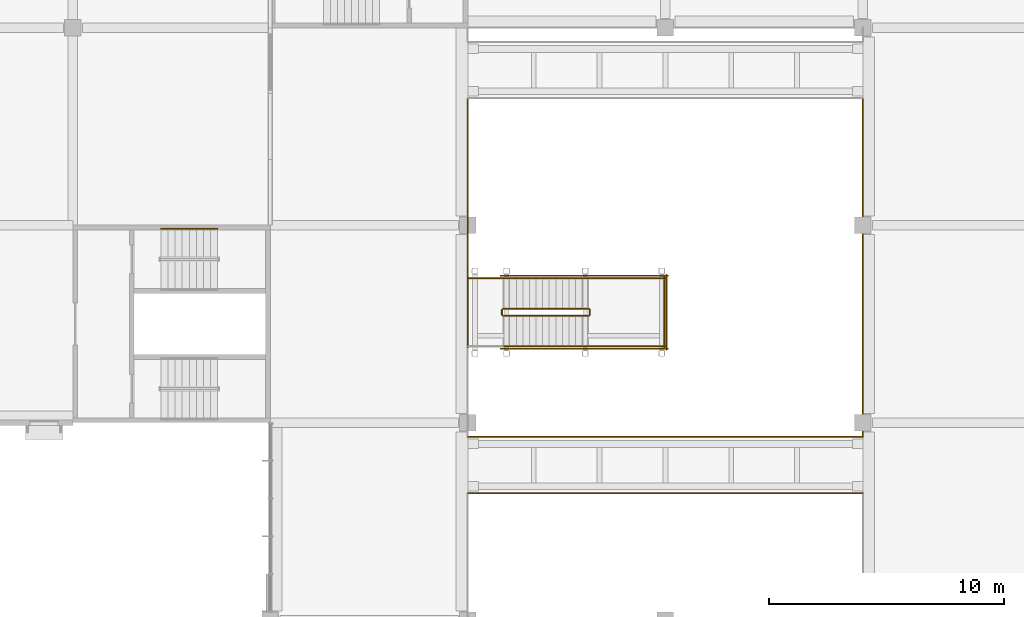
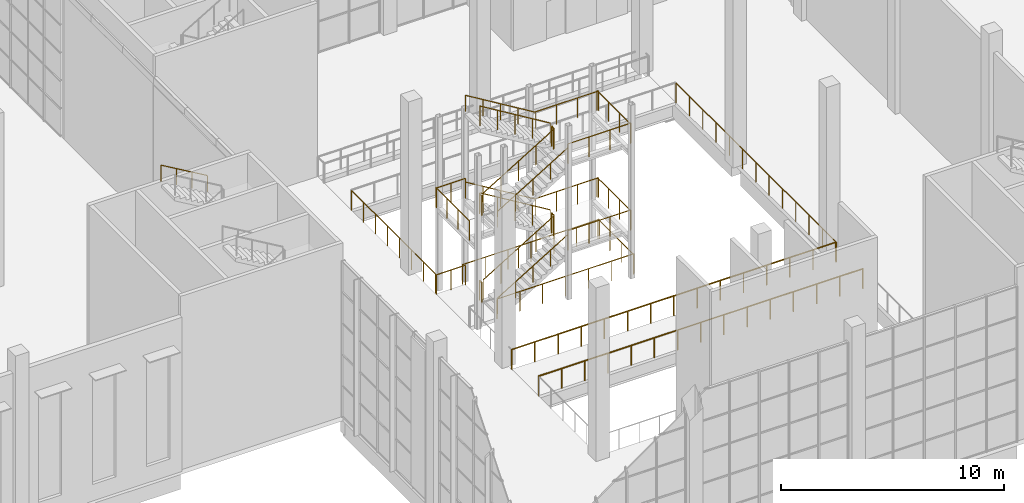
# One storey, part 101 of 114: 29 railings.
"""IFC4 building model written with IfcOpenShell, lengths in metres."""

from ifc_helpers import new_model, si_unit, direction, frame, origin, origin_2d, place, context, subcontext, project, spatial, circle, extrude, material, type_object, element, save


model = new_model("IFC4")

# Units and contexts
model_context = context("Model", 3, precision=1e-05, world=origin(), true_north=direction((0.0, 1.0)))
body_context = subcontext(model_context, "Body", "Model", "MODEL_VIEW")
ifc_project = project(units=[si_unit("LENGTHUNIT", "METRE"), si_unit("AREAUNIT", "SQUARE_METRE"), si_unit("VOLUMEUNIT", "CUBIC_METRE"), si_unit("PLANEANGLEUNIT", "RADIAN"), si_unit("MASSUNIT", "GRAM", prefix="KILO")], contexts=[model_context])

# Site, building, storey
site_placement = place(None, origin())
site = spatial("IfcSite", under=ifc_project, at=site_placement, CompositionType="ELEMENT")
building_placement = place(site_placement, origin())
building = spatial("IfcBuilding", under=site, at=building_placement, Name="Almond Square Museum", CompositionType="ELEMENT")
storey_placement = place(building_placement, frame((0.0, 0.0, 10.5)))
storey = spatial("IfcBuildingStorey", under=building, at=storey_placement, Name="L02", CompositionType="ELEMENT", Elevation=10.5)

# Railings
ifc_material_1 = material(Name="Laminated glass and stainless steel", Category="steel")
railing_type_1 = type_object("IfcRailingType", Name="Atrium bridge guard 1100", PredefinedType="GUARDRAIL", material=ifc_material_1)
railing_1_placement = place(storey_placement, frame((81.60009765625, 81.0, 0.0)))
element("IfcRailing", 1, at=railing_1_placement, inside=storey, type_object=railing_type_1, Name="BR-L02-1 bridge guard south", PredefinedType="GUARDRAIL", context=body_context, shape_type="SweptSolid", body=[
    extrude(circle(Radius=0.02392578125, at=origin_2d()), frame((0.0, 0.0, 1.076171875), z_axis=(1.0, 0.0, 0.0), x_axis=(0.0, 1.0, 0.0)), (0.0, 0.0, 1.0), 16.7998046875),
    extrude(circle(Radius=0.02099609375, at=origin_2d()), origin(), (0.0, 0.0, 1.0), 1.052001953125),
    extrude(circle(Radius=0.02099609375, at=origin_2d()), frame((1.199951171875, 0.0, 0.0)), (0.0, 0.0, 1.0), 1.052001953125),
    extrude(circle(Radius=0.02099609375, at=origin_2d()), frame((2.39990234375, 0.0, 0.0)), (0.0, 0.0, 1.0), 1.052001953125),
    extrude(circle(Radius=0.02099609375, at=origin_2d()), frame((3.599853515625, 0.0, 0.0)), (0.0, 0.0, 1.0), 1.052001953125),
    extrude(circle(Radius=0.02099609375, at=origin_2d()), frame((4.800048828125, 0.0, 0.0)), (0.0, 0.0, 1.0), 1.052001953125),
    extrude(circle(Radius=0.02099609375, at=origin_2d()), frame((6.0, 0.0, 0.0)), (0.0, 0.0, 1.0), 1.052001953125),
    extrude(circle(Radius=0.02099609375, at=origin_2d()), frame((7.199951171875, 0.0, 0.0)), (0.0, 0.0, 1.0), 1.052001953125),
    extrude(circle(Radius=0.02099609375, at=origin_2d()), frame((8.39990234375, 0.0, 0.0)), (0.0, 0.0, 1.0), 1.052001953125),
    extrude(circle(Radius=0.02099609375, at=origin_2d()), frame((9.599853515625, 0.0, 0.0)), (0.0, 0.0, 1.0), 1.052001953125),
    extrude(circle(Radius=0.02099609375, at=origin_2d()), frame((10.7998046875, 0.0, 0.0)), (0.0, 0.0, 1.0), 1.052001953125),
    extrude(circle(Radius=0.02099609375, at=origin_2d()), frame((11.999755859375, 0.0, 0.0)), (0.0, 0.0, 1.0), 1.052001953125),
    extrude(circle(Radius=0.02099609375, at=origin_2d()), frame((13.199951171875, 0.0, 0.0)), (0.0, 0.0, 1.0), 1.052001953125),
    extrude(circle(Radius=0.02099609375, at=origin_2d()), frame((14.39990234375, 0.0, 0.0)), (0.0, 0.0, 1.0), 1.052001953125),
    extrude(circle(Radius=0.02099609375, at=origin_2d()), frame((15.599853515625, 0.0, 0.0)), (0.0, 0.0, 1.0), 1.052001953125),
    extrude(circle(Radius=0.02099609375, at=origin_2d()), frame((16.7998046875, 0.0, 0.0)), (0.0, 0.0, 1.0), 1.052001953125),
])
railing_2_placement = place(storey_placement, frame((81.60009765625, 83.39990234375, 0.0)))
element("IfcRailing", 2, at=railing_2_placement, inside=storey, type_object=railing_type_1, Name="BR-L02-1 bridge guard north", PredefinedType="GUARDRAIL", context=body_context, shape_type="SweptSolid", body=[
    extrude(circle(Radius=0.02392578125, at=origin_2d()), frame((0.0, 0.0, 1.076171875), z_axis=(1.0, 0.0, 0.0), x_axis=(0.0, 1.0, 0.0)), (0.0, 0.0, 1.0), 16.7998046875),
    extrude(circle(Radius=0.02099609375, at=origin_2d()), origin(), (0.0, 0.0, 1.0), 1.052001953125),
    extrude(circle(Radius=0.02099609375, at=origin_2d()), frame((1.199951171875, 0.0, 0.0)), (0.0, 0.0, 1.0), 1.052001953125),
    extrude(circle(Radius=0.02099609375, at=origin_2d()), frame((2.39990234375, 0.0, 0.0)), (0.0, 0.0, 1.0), 1.052001953125),
    extrude(circle(Radius=0.02099609375, at=origin_2d()), frame((3.599853515625, 0.0, 0.0)), (0.0, 0.0, 1.0), 1.052001953125),
    extrude(circle(Radius=0.02099609375, at=origin_2d()), frame((4.800048828125, 0.0, 0.0)), (0.0, 0.0, 1.0), 1.052001953125),
    extrude(circle(Radius=0.02099609375, at=origin_2d()), frame((6.0, 0.0, 0.0)), (0.0, 0.0, 1.0), 1.052001953125),
    extrude(circle(Radius=0.02099609375, at=origin_2d()), frame((7.199951171875, 0.0, 0.0)), (0.0, 0.0, 1.0), 1.052001953125),
    extrude(circle(Radius=0.02099609375, at=origin_2d()), frame((8.39990234375, 0.0, 0.0)), (0.0, 0.0, 1.0), 1.052001953125),
    extrude(circle(Radius=0.02099609375, at=origin_2d()), frame((9.599853515625, 0.0, 0.0)), (0.0, 0.0, 1.0), 1.052001953125),
    extrude(circle(Radius=0.02099609375, at=origin_2d()), frame((10.7998046875, 0.0, 0.0)), (0.0, 0.0, 1.0), 1.052001953125),
    extrude(circle(Radius=0.02099609375, at=origin_2d()), frame((11.999755859375, 0.0, 0.0)), (0.0, 0.0, 1.0), 1.052001953125),
    extrude(circle(Radius=0.02099609375, at=origin_2d()), frame((13.199951171875, 0.0, 0.0)), (0.0, 0.0, 1.0), 1.052001953125),
    extrude(circle(Radius=0.02099609375, at=origin_2d()), frame((14.39990234375, 0.0, 0.0)), (0.0, 0.0, 1.0), 1.052001953125),
    extrude(circle(Radius=0.02099609375, at=origin_2d()), frame((15.599853515625, 0.0, 0.0)), (0.0, 0.0, 1.0), 1.052001953125),
    extrude(circle(Radius=0.02099609375, at=origin_2d()), frame((16.7998046875, 0.0, 0.0)), (0.0, 0.0, 1.0), 1.052001953125),
])
ifc_material_2 = material(Name="Laminated glass and stainless steel", Category="steel")
railing_type_2 = type_object("IfcRailingType", Name="Atrium guard 1100 glass balustrade", PredefinedType="GUARDRAIL", material=ifc_material_2)
railing_3_placement = place(storey_placement, frame((81.60009765625, 90.25, 0.0)))
element("IfcRailing", 3, at=railing_3_placement, inside=storey, type_object=railing_type_2, Name="L02 atrium guard 3", PredefinedType="GUARDRAIL", context=body_context, shape_type="SweptSolid", body=[
    extrude(circle(Radius=0.02392578125, at=origin_2d()), frame((0.0, 0.0, 1.076171875), z_axis=(0.0, 1.0, 0.0), x_axis=(-1.0, 0.0, 0.0)), (0.0, 0.0, 1.0), 7.5),
    extrude(circle(Radius=0.02099609375, at=origin_2d()), origin(), (0.0, 0.0, 1.0), 1.052001953125),
    extrude(circle(Radius=0.02099609375, at=origin_2d()), frame((0.0, 1.071533203125, 0.0)), (0.0, 0.0, 1.0), 1.052001953125),
    extrude(circle(Radius=0.02099609375, at=origin_2d()), frame((0.0, 2.142822265625, 0.0)), (0.0, 0.0, 1.0), 1.052001953125),
    extrude(circle(Radius=0.02099609375, at=origin_2d()), frame((0.0, 3.21435546875, 0.0)), (0.0, 0.0, 1.0), 1.052001953125),
    extrude(circle(Radius=0.02099609375, at=origin_2d()), frame((0.0, 4.28564453125, 0.0)), (0.0, 0.0, 1.0), 1.052001953125),
    extrude(circle(Radius=0.02099609375, at=origin_2d()), frame((0.0, 5.357177734375, 0.0)), (0.0, 0.0, 1.0), 1.052001953125),
    extrude(circle(Radius=0.02099609375, at=origin_2d()), frame((0.0, 6.428466796875, 0.0)), (0.0, 0.0, 1.0), 1.052001953125),
    extrude(circle(Radius=0.02099609375, at=origin_2d()), frame((0.0, 7.5, 0.0)), (0.0, 0.0, 1.0), 1.052001953125),
])
railing_4_placement = place(storey_placement, frame((98.39990234375, 83.449951171875, 0.0)))
element("IfcRailing", 4, at=railing_4_placement, inside=storey, type_object=railing_type_2, Name="L02 atrium guard 6", PredefinedType="GUARDRAIL", context=body_context, shape_type="SweptSolid", body=[
    extrude(circle(Radius=0.02392578125, at=origin_2d()), frame((0.0, 0.0, 1.076171875), z_axis=(0.0, 1.0, 0.0), x_axis=(-1.0, 0.0, 0.0)), (0.0, 0.0, 1.0), 14.300048828125),
    extrude(circle(Radius=0.02099609375, at=origin_2d()), origin(), (0.0, 0.0, 1.0), 1.052001953125),
    extrude(circle(Radius=0.02099609375, at=origin_2d()), frame((0.0, 1.191650390625, 0.0)), (0.0, 0.0, 1.0), 1.052001953125),
    extrude(circle(Radius=0.02099609375, at=origin_2d()), frame((0.0, 2.38330078125, 0.0)), (0.0, 0.0, 1.0), 1.052001953125),
    extrude(circle(Radius=0.02099609375, at=origin_2d()), frame((0.0, 3.574951171875, 0.0)), (0.0, 0.0, 1.0), 1.052001953125),
    extrude(circle(Radius=0.02099609375, at=origin_2d()), frame((0.0, 4.7666015625, 0.0)), (0.0, 0.0, 1.0), 1.052001953125),
    extrude(circle(Radius=0.02099609375, at=origin_2d()), frame((0.0, 5.958251953125, 0.0)), (0.0, 0.0, 1.0), 1.052001953125),
    extrude(circle(Radius=0.02099609375, at=origin_2d()), frame((0.0, 7.14990234375, 0.0)), (0.0, 0.0, 1.0), 1.052001953125),
    extrude(circle(Radius=0.02099609375, at=origin_2d()), frame((0.0, 8.341796875, 0.0)), (0.0, 0.0, 1.0), 1.052001953125),
    extrude(circle(Radius=0.02099609375, at=origin_2d()), frame((0.0, 9.533447265625, 0.0)), (0.0, 0.0, 1.0), 1.052001953125),
    extrude(circle(Radius=0.02099609375, at=origin_2d()), frame((0.0, 10.72509765625, 0.0)), (0.0, 0.0, 1.0), 1.052001953125),
    extrude(circle(Radius=0.02099609375, at=origin_2d()), frame((0.0, 11.916748046875, 0.0)), (0.0, 0.0, 1.0), 1.052001953125),
    extrude(circle(Radius=0.02099609375, at=origin_2d()), frame((0.0, 13.1083984375, 0.0)), (0.0, 0.0, 1.0), 1.052001953125),
    extrude(circle(Radius=0.02099609375, at=origin_2d()), frame((0.0, 14.300048828125, 0.0)), (0.0, 0.0, 1.0), 1.052001953125),
])
ifc_material_3 = material(Name="Stainless steel and laminated glass", Category="steel")
railing_type_3 = type_object("IfcRailingType", Name="Stair guard 1100 steel and glass", PredefinedType="GUARDRAIL", material=ifc_material_3)
railing_5_placement = place(storey_placement, frame((83.10009765625, 88.550048828125, 0.169677734375)))
element("IfcRailing", 5, at=railing_5_placement, inside=storey, type_object=railing_type_3, Name="L02 ST-F stair guard 1", PredefinedType="GUARDRAIL", context=body_context, shape_type="SweptSolid", body=[
    extrude(circle(Radius=0.02392578125, at=origin_2d()), frame((0.0, 0.0, 1.076171875), z_axis=(0.855267941865, 0.0, 0.518186016424), x_axis=(0.0, 1.0, 0.0)), (0.0, 0.0, 1.0), 4.255859375),
    extrude(circle(Radius=0.02099609375, at=origin_2d()), origin(), (0.0, 0.0, 1.0), 1.052001953125),
    extrude(circle(Radius=0.02099609375, at=origin_2d()), frame((0.909912109375, 0.0, 0.55126953125)), (0.0, 0.0, 1.0), 1.052001953125),
    extrude(circle(Radius=0.02099609375, at=origin_2d()), frame((1.81982421875, 0.0, 1.1025390625)), (0.0, 0.0, 1.0), 1.052001953125),
    extrude(circle(Radius=0.02099609375, at=origin_2d()), frame((2.72998046875, 0.0, 1.654052734375)), (0.0, 0.0, 1.0), 1.052001953125),
    extrude(circle(Radius=0.02099609375, at=origin_2d()), frame((3.639892578125, 0.0, 2.205322265625)), (0.0, 0.0, 1.0), 1.052001953125),
])
railing_6_placement = place(storey_placement, frame((86.7900390625, 88.60009765625, 2.375)))
element("IfcRailing", 6, at=railing_6_placement, inside=storey, type_object=railing_type_3, Name="L02 ST-F stair guard 2", PredefinedType="GUARDRAIL", context=body_context, shape_type="SweptSolid", body=[
    extrude(circle(Radius=0.02392578125, at=origin_2d()), frame((0.0, 0.0, 1.076171875), z_axis=(0.0, 1.0, 0.0), x_axis=(-1.0, 0.0, 0.0)), (0.0, 0.0, 1.0), 0.199951171875),
    extrude(circle(Radius=0.02099609375, at=origin_2d()), origin(), (0.0, 0.0, 1.0), 1.052001953125),
    extrude(circle(Radius=0.02099609375, at=origin_2d()), frame((0.0, 0.199951171875, 0.0)), (0.0, 0.0, 1.0), 1.052001953125),
])
for number, where, name in (
    (7, (86.739990234375, 87.25, 2.375), "L02 ST-F stair guard 3"),
    (8, (86.739990234375, 90.14990234375, 2.375), "L02 ST-F stair guard 4"),
):
    element("IfcRailing", number, at=place(storey_placement, frame(where)), inside=storey, type_object=railing_type_3, Name=name, PredefinedType="GUARDRAIL", context=body_context, shape_type="SweptSolid", body=[
        extrude(circle(Radius=0.02392578125, at=origin_2d()), frame((0.0, 0.0, 1.076171875), z_axis=(1.0, 0.0, 0.0), x_axis=(0.0, 1.0, 0.0)), (0.0, 0.0, 1.0), 3.260009765625),
        extrude(circle(Radius=0.02099609375, at=origin_2d()), origin(), (0.0, 0.0, 1.0), 1.052001953125),
        extrude(circle(Radius=0.02099609375, at=origin_2d()), frame((1.086669921875, 0.0, 0.0)), (0.0, 0.0, 1.0), 1.052001953125),
        extrude(circle(Radius=0.02099609375, at=origin_2d()), frame((2.17333984375, 0.0, 0.0)), (0.0, 0.0, 1.0), 1.052001953125),
        extrude(circle(Radius=0.02099609375, at=origin_2d()), frame((3.260009765625, 0.0, 0.0)), (0.0, 0.0, 1.0), 1.052001953125),
    ])
railing_7_placement = place(storey_placement, frame((89.949951171875, 87.199951171875, 2.375)))
element("IfcRailing", 9, at=railing_7_placement, inside=storey, type_object=railing_type_3, Name="L02 ST-F stair guard 5", PredefinedType="GUARDRAIL", context=body_context, shape_type="SweptSolid", body=[
    extrude(circle(Radius=0.02392578125, at=origin_2d()), frame((0.0, 0.0, 1.076171875), z_axis=(0.0, 1.0, 0.0), x_axis=(-1.0, 0.0, 0.0)), (0.0, 0.0, 1.0), 3.0),
    extrude(circle(Radius=0.02099609375, at=origin_2d()), origin(), (0.0, 0.0, 1.0), 1.052001953125),
    extrude(circle(Radius=0.02099609375, at=origin_2d()), frame((0.0, 1.0, 0.0)), (0.0, 0.0, 1.0), 1.052001953125),
    extrude(circle(Radius=0.02099609375, at=origin_2d()), frame((0.0, 2.0, 0.0)), (0.0, 0.0, 1.0), 1.052001953125),
    extrude(circle(Radius=0.02099609375, at=origin_2d()), frame((0.0, 3.0, 0.0)), (0.0, 0.0, 1.0), 1.052001953125),
])
railing_8_placement = place(storey_placement, frame((86.739990234375, 88.85009765625, 2.544677734375)))
element("IfcRailing", 10, at=railing_8_placement, inside=storey, type_object=railing_type_3, Name="L02 ST-F stair guard 6", PredefinedType="GUARDRAIL", context=body_context, shape_type="SweptSolid", body=[
    extrude(circle(Radius=0.02392578125, at=origin_2d()), frame((0.0, 0.0, 1.076171875), z_axis=(-0.855267941865, 0.0, 0.518186016424), x_axis=(0.0, -1.0, 0.0)), (0.0, 0.0, 1.0), 4.255859375),
    extrude(circle(Radius=0.02099609375, at=origin_2d()), origin(), (0.0, 0.0, 1.0), 1.052001953125),
    extrude(circle(Radius=0.02099609375, at=origin_2d()), frame((-0.909912109375, 0.0, 0.55126953125)), (0.0, 0.0, 1.0), 1.052001953125),
    extrude(circle(Radius=0.02099609375, at=origin_2d()), frame((-1.81982421875, 0.0, 1.1025390625)), (0.0, 0.0, 1.0), 1.052001953125),
    extrude(circle(Radius=0.02099609375, at=origin_2d()), frame((-2.72998046875, 0.0, 1.654052734375)), (0.0, 0.0, 1.0), 1.052001953125),
    extrude(circle(Radius=0.02099609375, at=origin_2d()), frame((-3.639892578125, 0.0, 2.205322265625)), (0.0, 0.0, 1.0), 1.052001953125),
])
railing_9_placement = place(storey_placement, frame((83.050048828125, 88.60009765625, 4.75)))
element("IfcRailing", 11, at=railing_9_placement, inside=storey, type_object=railing_type_3, Name="L02 ST-F stair guard 7", PredefinedType="GUARDRAIL", context=body_context, shape_type="SweptSolid", body=[
    extrude(circle(Radius=0.02392578125, at=origin_2d()), frame((0.0, 0.0, 1.076171875), z_axis=(0.0, 1.0, 0.0), x_axis=(-1.0, 0.0, 0.0)), (0.0, 0.0, 1.0), 0.199951171875),
    extrude(circle(Radius=0.02099609375, at=origin_2d()), origin(), (0.0, 0.0, 1.0), 1.052001953125),
    extrude(circle(Radius=0.02099609375, at=origin_2d()), frame((0.0, 0.199951171875, 0.0)), (0.0, 0.0, 1.0), 1.052001953125),
])
railing_10_placement = place(storey_placement, frame((81.60009765625, 90.14990234375, 4.75)))
element("IfcRailing", 12, at=railing_10_placement, inside=storey, type_object=railing_type_3, Name="L02 ST-F stair guard 9", PredefinedType="GUARDRAIL", context=body_context, shape_type="SweptSolid", body=[
    extrude(circle(Radius=0.02392578125, at=origin_2d()), frame((0.0, 0.0, 1.076171875), z_axis=(1.0, 0.0, 0.0), x_axis=(0.0, 1.0, 0.0)), (0.0, 0.0, 1.0), 1.5),
    extrude(circle(Radius=0.02099609375, at=origin_2d()), origin(), (0.0, 0.0, 1.0), 1.052001953125),
    extrude(circle(Radius=0.02099609375, at=origin_2d()), frame((0.75, 0.0, 0.0)), (0.0, 0.0, 1.0), 1.052001953125),
    extrude(circle(Radius=0.02099609375, at=origin_2d()), frame((1.5, 0.0, 0.0)), (0.0, 0.0, 1.0), 1.052001953125),
])
railing_11_placement = place(storey_placement, frame((83.10009765625, 88.550048828125, 4.919677734375)))
element("IfcRailing", 13, at=railing_11_placement, inside=storey, type_object=railing_type_3, Name="L02 ST-F stair guard 10", PredefinedType="GUARDRAIL", context=body_context, shape_type="SweptSolid", body=[
    extrude(circle(Radius=0.02392578125, at=origin_2d()), frame((0.0, 0.0, 1.076171875), z_axis=(0.855267941865, 0.0, 0.518186016424), x_axis=(0.0, 1.0, 0.0)), (0.0, 0.0, 1.0), 4.255859375),
    extrude(circle(Radius=0.02099609375, at=origin_2d()), origin(), (0.0, 0.0, 1.0), 1.052001953125),
    extrude(circle(Radius=0.02099609375, at=origin_2d()), frame((0.909912109375, 0.0, 0.55126953125)), (0.0, 0.0, 1.0), 1.052001953125),
    extrude(circle(Radius=0.02099609375, at=origin_2d()), frame((1.81982421875, 0.0, 1.1025390625)), (0.0, 0.0, 1.0), 1.052001953125),
    extrude(circle(Radius=0.02099609375, at=origin_2d()), frame((2.72998046875, 0.0, 1.654052734375)), (0.0, 0.0, 1.0), 1.052001953125),
    extrude(circle(Radius=0.02099609375, at=origin_2d()), frame((3.639892578125, 0.0, 2.205322265625)), (0.0, 0.0, 1.0), 1.052001953125),
])
railing_12_placement = place(storey_placement, frame((86.7900390625, 88.60009765625, 7.125)))
element("IfcRailing", 14, at=railing_12_placement, inside=storey, type_object=railing_type_3, Name="L02 ST-F stair guard 11", PredefinedType="GUARDRAIL", context=body_context, shape_type="SweptSolid", body=[
    extrude(circle(Radius=0.02392578125, at=origin_2d()), frame((0.0, 0.0, 1.076171875), z_axis=(0.0, 1.0, 0.0), x_axis=(-1.0, 0.0, 0.0)), (0.0, 0.0, 1.0), 0.199951171875),
    extrude(circle(Radius=0.02099609375, at=origin_2d()), origin(), (0.0, 0.0, 1.0), 1.052001953125),
    extrude(circle(Radius=0.02099609375, at=origin_2d()), frame((0.0, 0.199951171875, 0.0)), (0.0, 0.0, 1.0), 1.052001953125),
])
for number, where, name in (
    (15, (86.739990234375, 87.25, 7.125), "L02 ST-F stair guard 12"),
    (16, (86.739990234375, 90.14990234375, 7.125), "L02 ST-F stair guard 13"),
):
    element("IfcRailing", number, at=place(storey_placement, frame(where)), inside=storey, type_object=railing_type_3, Name=name, PredefinedType="GUARDRAIL", context=body_context, shape_type="SweptSolid", body=[
        extrude(circle(Radius=0.02392578125, at=origin_2d()), frame((0.0, 0.0, 1.076171875), z_axis=(1.0, 0.0, 0.0), x_axis=(0.0, 1.0, 0.0)), (0.0, 0.0, 1.0), 3.260009765625),
        extrude(circle(Radius=0.02099609375, at=origin_2d()), origin(), (0.0, 0.0, 1.0), 1.052001953125),
        extrude(circle(Radius=0.02099609375, at=origin_2d()), frame((1.086669921875, 0.0, 0.0)), (0.0, 0.0, 1.0), 1.052001953125),
        extrude(circle(Radius=0.02099609375, at=origin_2d()), frame((2.17333984375, 0.0, 0.0)), (0.0, 0.0, 1.0), 1.052001953125),
        extrude(circle(Radius=0.02099609375, at=origin_2d()), frame((3.260009765625, 0.0, 0.0)), (0.0, 0.0, 1.0), 1.052001953125),
    ])
railing_13_placement = place(storey_placement, frame((89.949951171875, 87.199951171875, 7.125)))
element("IfcRailing", 17, at=railing_13_placement, inside=storey, type_object=railing_type_3, Name="L02 ST-F stair guard 14", PredefinedType="GUARDRAIL", context=body_context, shape_type="SweptSolid", body=[
    extrude(circle(Radius=0.02392578125, at=origin_2d()), frame((0.0, 0.0, 1.076171875), z_axis=(0.0, 1.0, 0.0), x_axis=(-1.0, 0.0, 0.0)), (0.0, 0.0, 1.0), 3.0),
    extrude(circle(Radius=0.02099609375, at=origin_2d()), origin(), (0.0, 0.0, 1.0), 1.052001953125),
    extrude(circle(Radius=0.02099609375, at=origin_2d()), frame((0.0, 1.0, 0.0)), (0.0, 0.0, 1.0), 1.052001953125),
    extrude(circle(Radius=0.02099609375, at=origin_2d()), frame((0.0, 2.0, 0.0)), (0.0, 0.0, 1.0), 1.052001953125),
    extrude(circle(Radius=0.02099609375, at=origin_2d()), frame((0.0, 3.0, 0.0)), (0.0, 0.0, 1.0), 1.052001953125),
])
railing_14_placement = place(storey_placement, frame((86.739990234375, 88.85009765625, 7.294677734375)))
element("IfcRailing", 18, at=railing_14_placement, inside=storey, type_object=railing_type_3, Name="L02 ST-F stair guard 15", PredefinedType="GUARDRAIL", context=body_context, shape_type="SweptSolid", body=[
    extrude(circle(Radius=0.02392578125, at=origin_2d()), frame((0.0, 0.0, 1.076171875), z_axis=(-0.855267941865, 0.0, 0.518186016424), x_axis=(0.0, -1.0, 0.0)), (0.0, 0.0, 1.0), 4.255859375),
    extrude(circle(Radius=0.02099609375, at=origin_2d()), origin(), (0.0, 0.0, 1.0), 1.052001953125),
    extrude(circle(Radius=0.02099609375, at=origin_2d()), frame((-0.909912109375, 0.0, 0.55126953125)), (0.0, 0.0, 1.0), 1.052001953125),
    extrude(circle(Radius=0.02099609375, at=origin_2d()), frame((-1.81982421875, 0.0, 1.1025390625)), (0.0, 0.0, 1.0), 1.052001953125),
    extrude(circle(Radius=0.02099609375, at=origin_2d()), frame((-2.72998046875, 0.0, 1.654052734375)), (0.0, 0.0, 1.0), 1.052001953125),
    extrude(circle(Radius=0.02099609375, at=origin_2d()), frame((-3.639892578125, 0.0, 2.205322265625)), (0.0, 0.0, 1.0), 1.052001953125),
])
railing_15_placement = place(storey_placement, frame((83.050048828125, 88.60009765625, 0.0)))
element("IfcRailing", 19, at=railing_15_placement, inside=storey, type_object=railing_type_3, Name="L02 ST-F stair guard 16", PredefinedType="GUARDRAIL", context=body_context, shape_type="SweptSolid", body=[
    extrude(circle(Radius=0.02392578125, at=origin_2d()), frame((0.0, 0.0, 1.076171875), z_axis=(0.0, 1.0, 0.0), x_axis=(-1.0, 0.0, 0.0)), (0.0, 0.0, 1.0), 0.199951171875),
    extrude(circle(Radius=0.02099609375, at=origin_2d()), origin(), (0.0, 0.0, 1.0), 1.052001953125),
    extrude(circle(Radius=0.02099609375, at=origin_2d()), frame((0.0, 0.199951171875, 0.0)), (0.0, 0.0, 1.0), 1.052001953125),
])
railing_16_placement = place(storey_placement, frame((81.60009765625, 90.14990234375, 0.0)))
element("IfcRailing", 20, at=railing_16_placement, inside=storey, type_object=railing_type_3, Name="L02 ST-F stair guard 18", PredefinedType="GUARDRAIL", context=body_context, shape_type="SweptSolid", body=[
    extrude(circle(Radius=0.02392578125, at=origin_2d()), frame((0.0, 0.0, 1.076171875), z_axis=(1.0, 0.0, 0.0), x_axis=(0.0, 1.0, 0.0)), (0.0, 0.0, 1.0), 1.5),
    extrude(circle(Radius=0.02099609375, at=origin_2d()), origin(), (0.0, 0.0, 1.0), 1.052001953125),
    extrude(circle(Radius=0.02099609375, at=origin_2d()), frame((0.75, 0.0, 0.0)), (0.0, 0.0, 1.0), 1.052001953125),
    extrude(circle(Radius=0.02099609375, at=origin_2d()), frame((1.5, 0.0, 0.0)), (0.0, 0.0, 1.0), 1.052001953125),
])
for number, where, name in (
    (21, (83.0, 87.14990234375, 0.0), "L02 ST-F stair guard 19"),
    (22, (83.0, 90.25, 0.0), "L02 ST-F stair guard 20"),
):
    element("IfcRailing", number, at=place(storey_placement, frame(where)), inside=storey, type_object=railing_type_3, Name=name, PredefinedType="GUARDRAIL", context=body_context, shape_type="SweptSolid", body=[
        extrude(circle(Radius=0.02392578125, at=origin_2d()), frame((0.0, 0.0, 1.076171875), z_axis=(1.0, 0.0, 0.0), x_axis=(0.0, 1.0, 0.0)), (0.0, 0.0, 1.0), 7.10009765625),
        extrude(circle(Radius=0.02099609375, at=origin_2d()), origin(), (0.0, 0.0, 1.0), 1.052001953125),
        extrude(circle(Radius=0.02099609375, at=origin_2d()), frame((1.183349609375, 0.0, 0.0)), (0.0, 0.0, 1.0), 1.052001953125),
        extrude(circle(Radius=0.02099609375, at=origin_2d()), frame((2.36669921875, 0.0, 0.0)), (0.0, 0.0, 1.0), 1.052001953125),
        extrude(circle(Radius=0.02099609375, at=origin_2d()), frame((3.550048828125, 0.0, 0.0)), (0.0, 0.0, 1.0), 1.052001953125),
        extrude(circle(Radius=0.02099609375, at=origin_2d()), frame((4.7333984375, 0.0, 0.0)), (0.0, 0.0, 1.0), 1.052001953125),
        extrude(circle(Radius=0.02099609375, at=origin_2d()), frame((5.916748046875, 0.0, 0.0)), (0.0, 0.0, 1.0), 1.052001953125),
        extrude(circle(Radius=0.02099609375, at=origin_2d()), frame((7.10009765625, 0.0, 0.0)), (0.0, 0.0, 1.0), 1.052001953125),
    ])
railing_17_placement = place(storey_placement, frame((90.050048828125, 87.10009765625, 0.0)))
element("IfcRailing", 23, at=railing_17_placement, inside=storey, type_object=railing_type_3, Name="L02 ST-F stair guard 21", PredefinedType="GUARDRAIL", context=body_context, shape_type="SweptSolid", body=[
    extrude(circle(Radius=0.02392578125, at=origin_2d()), frame((0.0, 0.0, 1.076171875), z_axis=(0.0, 1.0, 0.0), x_axis=(-1.0, 0.0, 0.0)), (0.0, 0.0, 1.0), 3.199951171875),
    extrude(circle(Radius=0.02099609375, at=origin_2d()), origin(), (0.0, 0.0, 1.0), 1.052001953125),
    extrude(circle(Radius=0.02099609375, at=origin_2d()), frame((0.0, 1.066650390625, 0.0)), (0.0, 0.0, 1.0), 1.052001953125),
    extrude(circle(Radius=0.02099609375, at=origin_2d()), frame((0.0, 2.13330078125, 0.0)), (0.0, 0.0, 1.0), 1.052001953125),
    extrude(circle(Radius=0.02099609375, at=origin_2d()), frame((0.0, 3.199951171875, 0.0)), (0.0, 0.0, 1.0), 1.052001953125),
])
railing_18_placement = place(storey_placement, frame((81.60009765625, 87.199951171875, 4.75)))
element("IfcRailing", 24, at=railing_18_placement, inside=storey, type_object=railing_type_3, Name="L02 atrium feature stair landing guard", PredefinedType="GUARDRAIL", context=body_context, shape_type="SweptSolid", body=[
    extrude(circle(Radius=0.02392578125, at=origin_2d()), frame((0.0, 0.0, 1.076171875), z_axis=(0.0, 1.0, 0.0), x_axis=(-1.0, 0.0, 0.0)), (0.0, 0.0, 1.0), 3.0),
    extrude(circle(Radius=0.02099609375, at=origin_2d()), origin(), (0.0, 0.0, 1.0), 1.052001953125),
    extrude(circle(Radius=0.02099609375, at=origin_2d()), frame((0.0, 1.0, 0.0)), (0.0, 0.0, 1.0), 1.052001953125),
    extrude(circle(Radius=0.02099609375, at=origin_2d()), frame((0.0, 2.0, 0.0)), (0.0, 0.0, 1.0), 1.052001953125),
    extrude(circle(Radius=0.02099609375, at=origin_2d()), frame((0.0, 3.0, 0.0)), (0.0, 0.0, 1.0), 1.052001953125),
])
ifc_material_4 = material(Name="Stainless steel", Category="steel")
railing_type_4 = type_object("IfcRailingType", Name="Stair handrail 900 steel", PredefinedType="HANDRAIL", material=ifc_material_4)
railing_19_placement = place(storey_placement, frame((70.949951171875, 92.2451171875, 8.092529296875)))
element("IfcRailing", 25, at=railing_19_placement, inside=storey, type_object=railing_type_4, Name="L02 ST-20 stair handrail 6", PredefinedType="HANDRAIL", context=body_context, shape_type="SweptSolid", body=[
    extrude(circle(Radius=0.02392578125, at=origin_2d()), frame((0.0, 0.0, 0.8759765625), z_axis=(-0.86259894172, 0.0, 0.505888392576), x_axis=(0.0, -1.0, 0.0)), (0.0, 0.0, 1.0), 2.7822265625),
    extrude(circle(Radius=0.02099609375, at=origin_2d()), origin(), (0.0, 0.0, 1.0), 0.851806640625),
    extrude(circle(Radius=0.02099609375, at=origin_2d()), frame((-0.800048828125, 0.0, 0.46923828125)), (0.0, 0.0, 1.0), 0.851806640625),
    extrude(circle(Radius=0.02099609375, at=origin_2d()), frame((-1.599853515625, 0.0, 0.938232421875)), (0.0, 0.0, 1.0), 0.851806640625),
    extrude(circle(Radius=0.02099609375, at=origin_2d()), frame((-2.39990234375, 0.0, 1.407470703125)), (0.0, 0.0, 1.0), 0.851806640625),
])
railing_20_placement = place(storey_placement, frame((83.10009765625, 87.25, 0.169677734375)))
element("IfcRailing", 26, at=railing_20_placement, inside=storey, type_object=railing_type_4, Name="L02 ST-F stair handrail 1", PredefinedType="HANDRAIL", context=body_context, shape_type="SweptSolid", body=[
    extrude(circle(Radius=0.02392578125, at=origin_2d()), frame((0.0, 0.0, 0.8759765625), z_axis=(0.855267941865, 0.0, 0.518186016424), x_axis=(0.0, 1.0, 0.0)), (0.0, 0.0, 1.0), 4.255859375),
    extrude(circle(Radius=0.02099609375, at=origin_2d()), origin(), (0.0, 0.0, 1.0), 0.851806640625),
    extrude(circle(Radius=0.02099609375, at=origin_2d()), frame((0.909912109375, 0.0, 0.55126953125)), (0.0, 0.0, 1.0), 0.851806640625),
    extrude(circle(Radius=0.02099609375, at=origin_2d()), frame((1.81982421875, 0.0, 1.1025390625)), (0.0, 0.0, 1.0), 0.851806640625),
    extrude(circle(Radius=0.02099609375, at=origin_2d()), frame((2.72998046875, 0.0, 1.654052734375)), (0.0, 0.0, 1.0), 0.851806640625),
    extrude(circle(Radius=0.02099609375, at=origin_2d()), frame((3.639892578125, 0.0, 2.205322265625)), (0.0, 0.0, 1.0), 0.851806640625),
])
railing_21_placement = place(storey_placement, frame((86.739990234375, 90.14990234375, 2.544677734375)))
element("IfcRailing", 27, at=railing_21_placement, inside=storey, type_object=railing_type_4, Name="L02 ST-F stair handrail 2", PredefinedType="HANDRAIL", context=body_context, shape_type="SweptSolid", body=[
    extrude(circle(Radius=0.02392578125, at=origin_2d()), frame((0.0, 0.0, 0.8759765625), z_axis=(-0.855267941865, 0.0, 0.518186016424), x_axis=(0.0, -1.0, 0.0)), (0.0, 0.0, 1.0), 4.255859375),
    extrude(circle(Radius=0.02099609375, at=origin_2d()), origin(), (0.0, 0.0, 1.0), 0.851806640625),
    extrude(circle(Radius=0.02099609375, at=origin_2d()), frame((-0.909912109375, 0.0, 0.55126953125)), (0.0, 0.0, 1.0), 0.851806640625),
    extrude(circle(Radius=0.02099609375, at=origin_2d()), frame((-1.81982421875, 0.0, 1.1025390625)), (0.0, 0.0, 1.0), 0.851806640625),
    extrude(circle(Radius=0.02099609375, at=origin_2d()), frame((-2.72998046875, 0.0, 1.654052734375)), (0.0, 0.0, 1.0), 0.851806640625),
    extrude(circle(Radius=0.02099609375, at=origin_2d()), frame((-3.639892578125, 0.0, 2.205322265625)), (0.0, 0.0, 1.0), 0.851806640625),
])
railing_22_placement = place(storey_placement, frame((83.10009765625, 87.25, 4.919677734375)))
element("IfcRailing", 28, at=railing_22_placement, inside=storey, type_object=railing_type_4, Name="L02 ST-F stair handrail 3", PredefinedType="HANDRAIL", context=body_context, shape_type="SweptSolid", body=[
    extrude(circle(Radius=0.02392578125, at=origin_2d()), frame((0.0, 0.0, 0.8759765625), z_axis=(0.855267941865, 0.0, 0.518186016424), x_axis=(0.0, 1.0, 0.0)), (0.0, 0.0, 1.0), 4.255859375),
    extrude(circle(Radius=0.02099609375, at=origin_2d()), origin(), (0.0, 0.0, 1.0), 0.851806640625),
    extrude(circle(Radius=0.02099609375, at=origin_2d()), frame((0.909912109375, 0.0, 0.55126953125)), (0.0, 0.0, 1.0), 0.851806640625),
    extrude(circle(Radius=0.02099609375, at=origin_2d()), frame((1.81982421875, 0.0, 1.1025390625)), (0.0, 0.0, 1.0), 0.851806640625),
    extrude(circle(Radius=0.02099609375, at=origin_2d()), frame((2.72998046875, 0.0, 1.654052734375)), (0.0, 0.0, 1.0), 0.851806640625),
    extrude(circle(Radius=0.02099609375, at=origin_2d()), frame((3.639892578125, 0.0, 2.205322265625)), (0.0, 0.0, 1.0), 0.851806640625),
])
railing_23_placement = place(storey_placement, frame((86.739990234375, 90.14990234375, 7.294677734375)))
element("IfcRailing", 29, at=railing_23_placement, inside=storey, type_object=railing_type_4, Name="L02 ST-F stair handrail 4", PredefinedType="HANDRAIL", context=body_context, shape_type="SweptSolid", body=[
    extrude(circle(Radius=0.02392578125, at=origin_2d()), frame((0.0, 0.0, 0.8759765625), z_axis=(-0.855267941865, 0.0, 0.518186016424), x_axis=(0.0, -1.0, 0.0)), (0.0, 0.0, 1.0), 4.255859375),
    extrude(circle(Radius=0.02099609375, at=origin_2d()), origin(), (0.0, 0.0, 1.0), 0.851806640625),
    extrude(circle(Radius=0.02099609375, at=origin_2d()), frame((-0.909912109375, 0.0, 0.55126953125)), (0.0, 0.0, 1.0), 0.851806640625),
    extrude(circle(Radius=0.02099609375, at=origin_2d()), frame((-1.81982421875, 0.0, 1.1025390625)), (0.0, 0.0, 1.0), 0.851806640625),
    extrude(circle(Radius=0.02099609375, at=origin_2d()), frame((-2.72998046875, 0.0, 1.654052734375)), (0.0, 0.0, 1.0), 0.851806640625),
    extrude(circle(Radius=0.02099609375, at=origin_2d()), frame((-3.639892578125, 0.0, 2.205322265625)), (0.0, 0.0, 1.0), 0.851806640625),
])

save(model, "model.ifc")
